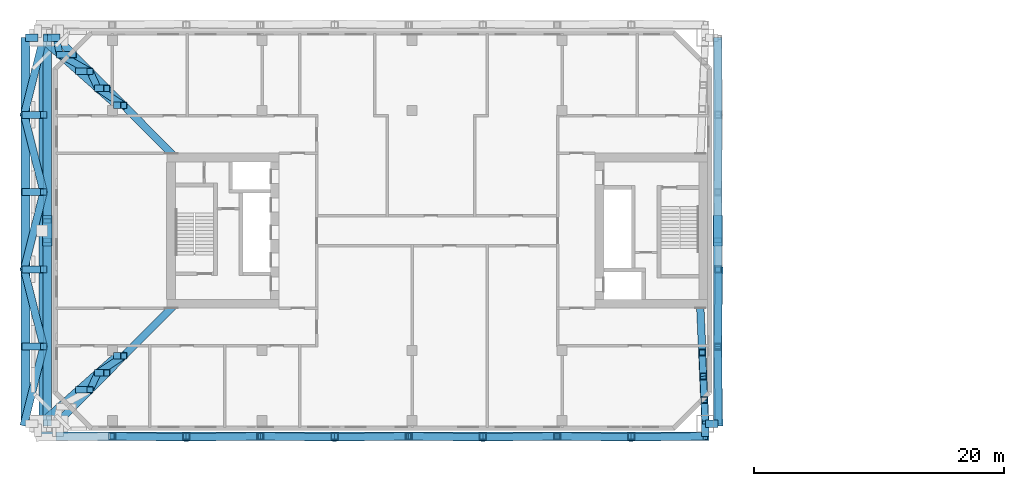
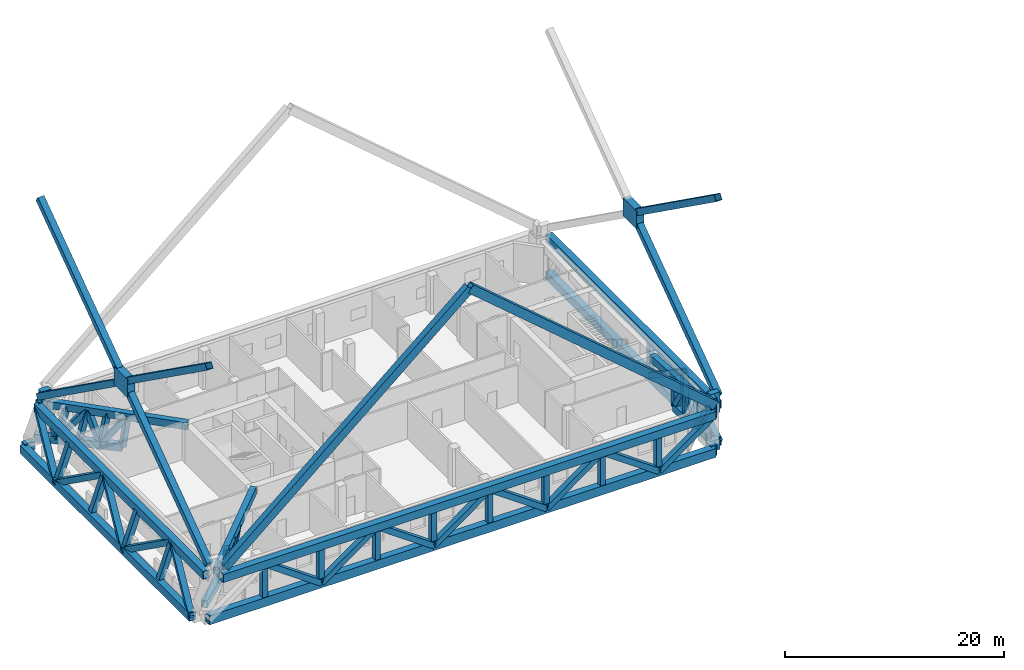
# One storey, part 2 of 20: 58 members, 21 beams.
"""IFC4 building model written with IfcOpenShell, lengths in metres."""

import ifcopenshell
import ifcopenshell.guid

model = None  # the IFC model being written
_history = None  # IfcOwnerHistory: only IFC2X3 demands one
_inside = {}  # id of a spatial element -> (the spatial element, [elements in it])
_under = {}  # id of a project, library or spatial element -> (it, [spatial elements below it])
_declared = {}  # id of a project -> (the project, [libraries it declares])
_typed = {}  # id of a type object -> (the type object, [elements of that type])
_made_of = {}  # id of a material, layer set ... -> (it, [elements and type objects made of it])


def new_model(schema):
    """Start an empty IFC model of exactly this schema.

    Asked for "IFC4X3", IfcOpenShell would pick the latest addendum, in which some entities
    have other attributes; the version numbers below select the first issue.
    IFC2X3 requires an IfcOwnerHistory on every rooted entity: one is made here for all.
    """
    global model, _history
    if schema == "IFC4X3":
        model = ifcopenshell.file(schema_version=(4, 3, 0, 0))
    else:
        model = ifcopenshell.file(schema=schema)
    _inside.clear()
    _under.clear()
    _declared.clear()
    _typed.clear()
    _made_of.clear()
    _history = None
    if model.schema == "IFC2X3":
        org = make("IfcOrganization", Name="unknown")
        user = make(
            "IfcPersonAndOrganization",
            ThePerson=make("IfcPerson", FamilyName="unknown"),
            TheOrganization=org,
        )
        app = make(
            "IfcApplication",
            ApplicationDeveloper=org,
            Version="unknown",
            ApplicationFullName="unknown",
            ApplicationIdentifier="unknown",
        )
        _history = make(
            "IfcOwnerHistory",
            OwningUser=user,
            OwningApplication=app,
            ChangeAction="ADDED",
            CreationDate=0,
        )
    return model


def make(cls, **values):
    """One entity of the class cls with the attributes given. An attribute that is None is left unset."""
    return model.create_entity(
        cls, **{name: value for name, value in values.items() if value is not None}
    )


def rooted(cls, **values):
    """An entity with a GlobalId (a new one), such as an element, a storey or a relation."""
    return make(cls, GlobalId=ifcopenshell.guid.new(), OwnerHistory=_history, **values)


def si_unit(unit_type, name, prefix=None):
    """IfcSIUnit, for example si_unit("LENGTHUNIT", "METRE", prefix="MILLI")."""
    return make("IfcSIUnit", UnitType=unit_type, Prefix=prefix, Name=name)


def assignment(units):
    """IfcUnitAssignment: the units of a project."""
    return None if units is None else make("IfcUnitAssignment", Units=units)


def point(xyz):
    """IfcCartesianPoint."""
    return None if xyz is None else make("IfcCartesianPoint", Coordinates=xyz)


def direction(xyz):
    """IfcDirection."""
    return None if xyz is None else make("IfcDirection", DirectionRatios=xyz)


def frame(location, z_axis=None, x_axis=None):
    """IfcAxis2Placement3D, a coordinate frame: its origin and axes. An axis left out is left unset."""
    return make(
        "IfcAxis2Placement3D",
        Location=point(location),
        Axis=direction(z_axis),
        RefDirection=direction(x_axis),
    )


def frame_2d(location, x_axis=None):
    """IfcAxis2Placement2D, a coordinate frame in the plane: its origin and x axis."""
    return make(
        "IfcAxis2Placement2D", Location=point(location), RefDirection=direction(x_axis)
    )


def origin():
    """The frame at (0, 0, 0) with its axes left unset."""
    return frame((0.0, 0.0, 0.0))


def origin_2d():
    """The frame at (0, 0) in the plane with its x axis left unset."""
    return frame_2d((0.0, 0.0))


def place(relative_to, where):
    """IfcLocalPlacement: puts the frame where relative to a parent placement (None: the world)."""
    return make(
        "IfcLocalPlacement", PlacementRelTo=relative_to, RelativePlacement=where
    )


def context(
    kind, dimensions, precision=None, world=None, true_north=None, identifier=None
):
    """IfcGeometricRepresentationContext, for example the 3D "Model" context."""
    return make(
        "IfcGeometricRepresentationContext",
        ContextIdentifier=identifier,
        ContextType=kind,
        CoordinateSpaceDimension=dimensions,
        Precision=precision,
        WorldCoordinateSystem=world,
        TrueNorth=true_north,
    )


def subcontext(parent, identifier, kind, view, scale=None):
    """IfcGeometricRepresentationSubContext, for example "Body" below "Model"."""
    return make(
        "IfcGeometricRepresentationSubContext",
        ContextIdentifier=identifier,
        ContextType=kind,
        ParentContext=parent,
        TargetScale=scale,
        TargetView=view,
    )


def project(units=None, contexts=None):
    """IfcProject with its units and contexts."""
    return rooted(
        "IfcProject",
        Name="project",
        RepresentationContexts=contexts,
        UnitsInContext=assignment(units),
    )


def spatial(cls, under=None, at=None, **own):
    """A site, building, storey or space (cls), placed at a placement, below another one or the project."""
    s = rooted(cls, ObjectPlacement=at, **own)
    if under is not None:
        _under.setdefault(under.id(), (under, []))[1].append(s)
    return s


def profile(cls, at=None, kind="AREA", **sizes):
    """A parametric profile (cls). Its sizes go by their IFC names, for example OverallWidth=200.0."""
    return make(cls, ProfileType=kind, Position=at, **sizes)


def rectangle(**sizes):
    """IfcRectangleProfileDef."""
    return profile("IfcRectangleProfileDef", **sizes)


def hollow_rectangle(**sizes):
    """IfcRectangleHollowProfileDef."""
    return profile("IfcRectangleHollowProfileDef", **sizes)


def extrude(swept, where, along, depth):
    """IfcExtrudedAreaSolid: the profile swept, set in the frame where, extruded along a direction by depth."""
    return make(
        "IfcExtrudedAreaSolid",
        SweptArea=swept,
        Position=where,
        ExtrudedDirection=direction(along),
        Depth=depth,
    )


def shape(context_of_items, identifier, shape_type, items):
    """IfcShapeRepresentation: the items that make up one representation, for example the "Body"."""
    return make(
        "IfcShapeRepresentation",
        ContextOfItems=context_of_items,
        RepresentationIdentifier=identifier,
        RepresentationType=shape_type,
        Items=items,
    )


def material(Name=None, Category=None):
    """IfcMaterial."""
    return make("IfcMaterial", Name=Name, Category=Category)


def material_profile(
    of_material, cross_section, Name=None, Category=None, Priority=None
):
    """IfcMaterialProfile: a cross section and its material."""
    return make(
        "IfcMaterialProfile",
        Name=Name,
        Material=of_material,
        Profile=cross_section,
        Priority=Priority,
        Category=Category,
    )


def profile_set(profiles, Name=None, composite=None):
    """IfcMaterialProfileSet."""
    return make(
        "IfcMaterialProfileSet",
        Name=Name,
        MaterialProfiles=profiles,
        CompositeProfile=composite,
    )


def made_of(thing, what):
    """Note that an element or type object is made of a material, layer set ...; save() writes the relation."""
    if what is not None:
        _made_of.setdefault(what.id(), (what, []))[1].append(thing)
    return thing


def type_object(cls, material=None, **own):
    """A type object (cls), such as IfcWallType, which elements share."""
    return made_of(rooted(cls, **own), material)


def element(
    cls,
    number,
    at=None,
    inside=None,
    cuts=None,
    type_object=None,
    material=None,
    context=None,
    identifier="Body",
    shape_type=None,
    held_by="IfcProductDefinitionShape",
    body=None,
    shapes=None,
    **own,
):
    """One element of the class cls, such as IfcWall. Its Tag is "e" and its number.

    at: its placement. inside: the storey or other place that contains it. cuts: it is an
    opening in that element (IfcRelVoidsElement). A single representation is given by context,
    identifier, shape_type and body (its items); several are given by shapes. held_by: the class
    of the entity that holds the representations. save() writes the other relations.
    """
    e = rooted(cls, Tag="e%d" % number, ObjectPlacement=at, **own)
    if body is not None:
        shapes = [shape(context, identifier, shape_type, body)]
    if shapes is not None:
        e.Representation = make(held_by, Representations=shapes)
    if inside is not None:
        _inside.setdefault(inside.id(), (inside, []))[1].append(e)
    if cuts is not None:
        rooted(
            "IfcRelVoidsElement", RelatingBuildingElement=cuts, RelatedOpeningElement=e
        )
    if type_object is not None:
        _typed.setdefault(type_object.id(), (type_object, []))[1].append(e)
    return made_of(e, material)


def aggregate(whole, parts):
    """IfcRelAggregates: a whole, such as a stair, and the parts it consists of."""
    return rooted("IfcRelAggregates", RelatingObject=whole, RelatedObjects=parts)


def save(model, path):
    """Write the relations noted so far, then the file.

    IfcRelAggregates (storeys below a building ...), IfcRelContainedInSpatialStructure (elements
    in a storey), IfcRelDefinesByType, IfcRelAssociatesMaterial and IfcRelDeclares: one each for
    every whole, place, type object, material and project.
    """
    for whole, parts in _under.values():
        aggregate(whole, parts)
    for where, things in _inside.values():
        rooted(
            "IfcRelContainedInSpatialStructure",
            RelatedElements=things,
            RelatingStructure=where,
        )
    for kind, things in _typed.values():
        rooted("IfcRelDefinesByType", RelatedObjects=things, RelatingType=kind)
    for what, things in _made_of.values():
        rooted("IfcRelAssociatesMaterial", RelatedObjects=things, RelatingMaterial=what)
    for by, libraries in _declared.values():
        rooted("IfcRelDeclares", RelatingContext=by, RelatedDefinitions=libraries)
    model.write(path)


model = new_model("IFC4")

# Units and contexts
model_context = context("Model", 3, precision=1e-05, world=origin(), true_north=direction((0.0, 1.0)))
body_context = subcontext(model_context, "Body", "Model", "MODEL_VIEW")
ifc_project = project(units=[si_unit("LENGTHUNIT", "METRE"), si_unit("AREAUNIT", "SQUARE_METRE"), si_unit("VOLUMEUNIT", "CUBIC_METRE"), si_unit("PLANEANGLEUNIT", "RADIAN"), si_unit("MASSUNIT", "GRAM", prefix="KILO")], contexts=[model_context])

# Site, building, storey
site_placement = place(None, origin())
site = spatial("IfcSite", under=ifc_project, at=site_placement, CompositionType="ELEMENT")
building_placement = place(site_placement, origin())
building = spatial("IfcBuilding", under=site, at=building_placement, Name="Tuart Gate Housing", CompositionType="ELEMENT")
storey_placement = place(building_placement, frame((0.0, 0.0, 62.89990234375)))
storey = spatial("IfcBuildingStorey", under=building, at=storey_placement, Name="L17", CompositionType="ELEMENT", Elevation=62.89990234375)

# Beams
ifc_material_1 = material(Name="Steel Grade 350", Category="steel")
ifc_material_profile_1 = material_profile(ifc_material_1, hollow_rectangle(XDim=0.699951171875, YDim=0.89990234375, WallThickness=0.0400390625, at=origin_2d()), Name="BOX 900x700x40")
ifc_profile_set_1 = profile_set([ifc_material_profile_1], Name="Steel Grade 350")
beam_type_1 = type_object("IfcBeamType", Name="Belt truss chord BOX 900x700x40", PredefinedType="BEAM", material=ifc_profile_set_1)
for number, where, z_axis, x_axis, name in (
    (1, (22.50830078125, 54.550048828125, 3.75), (0.0, 1.0, 0.0), (-1.0, 0.0, 0.0), "Belt truss top chord A west L17"),
    (2, (76.449951171875, 54.550048828125, 3.75), (0.0, 1.0, 0.0), (-1.0, 0.0, 0.0), "Belt truss top chord A east L17"),
):
    element("IfcBeam", number, at=place(storey_placement, frame(where, z_axis=z_axis, x_axis=x_axis)), inside=storey, type_object=beam_type_1, Name=name, PredefinedType="BEAM", context=body_context, shape_type="SweptSolid", body=[
        extrude(hollow_rectangle(XDim=0.699951171875, YDim=0.89990234375, WallThickness=0.0400390625, at=origin_2d()), origin(), (0.0, 0.0, 1.0), 30.89990234375),
    ])
ifc_material_2 = material(Name="Steel Grade 350", Category="steel")
ifc_material_profile_2 = material_profile(ifc_material_2, hollow_rectangle(XDim=0.699951171875, YDim=0.89990234375, WallThickness=0.0400390625, at=origin_2d()), Name="BOX 900x700x40")
ifc_profile_set_2 = profile_set([ifc_material_profile_2], Name="Steel Grade 350")
beam_type_2 = type_object("IfcBeamType", Name="Belt truss chord BOX 900x700x40 (40.9-51.9 m)", PredefinedType="BEAM", material=ifc_profile_set_2)
beam_1_placement = place(storey_placement, frame((23.50830078125, 53.550048828125, 3.75), z_axis=(1.0, 0.0, 0.0), x_axis=(0.0, 1.0, 0.0)))
element("IfcBeam", 3, at=beam_1_placement, inside=storey, type_object=beam_type_2, Name="Belt truss top chord A south L17", PredefinedType="BEAM", context=body_context, shape_type="SweptSolid", body=[
    extrude(hollow_rectangle(XDim=0.699951171875, YDim=0.89990234375, WallThickness=0.0400390625, at=origin_2d()), origin(), (0.0, 0.0, 1.0), 51.941650390625),
])

# Members
ifc_material_3 = material(Name="Steel Grade 350", Category="steel")
ifc_material_profile_3 = material_profile(ifc_material_3, hollow_rectangle(XDim=0.60009765625, YDim=0.60009765625, WallThickness=0.031982421875, at=origin_2d()), Name="BOX 600x600x32")
ifc_profile_set_3 = profile_set([ifc_material_profile_3], Name="Steel Grade 350")
member_type_1 = type_object("IfcMemberType", Name="Belt truss diagonal BOX 600x600x32", PredefinedType="BRACE", material=ifc_profile_set_3)
for number, where, z_axis, x_axis, name in (
    (4, (27.9833984375, 53.550048828125, 3.75), (0.819376919139, -0.013823171495, -0.573088461158), (0.016867945015, 0.999857726095, 0.0), "Belt truss diagonal A south 1 L17"),
    (5, (33.916748046875, 53.449951171875, -0.39990234375), (0.819376919139, 0.013823171495, 0.573088461158), (-0.016867945015, 0.999857726095, 0.0), "Belt truss diagonal A south 2 L17"),
    (6, (39.85009765625, 53.550048828125, 3.75), (0.81936583919, -0.013823553373, -0.573104293249), (0.016868638914, 0.999857714388, 0.0), "Belt truss diagonal A south 3 L17"),
):
    element("IfcMember", number, at=place(storey_placement, frame(where, z_axis=z_axis, x_axis=x_axis)), inside=storey, type_object=member_type_1, Name=name, PredefinedType="BRACE", context=body_context, shape_type="SweptSolid", body=[
        extrude(hollow_rectangle(XDim=0.60009765625, YDim=0.60009765625, WallThickness=0.031982421875, at=origin_2d()), origin(), (0.0, 0.0, 1.0), 7.2412109375),
    ])
member_1_placement = place(storey_placement, frame((45.783203125, 53.449951171875, -0.39990234375), z_axis=(0.81938799817, 0.013822789633, 0.573072629727), x_axis=(-0.016867251173, 0.9998577378, 0.0)))
element("IfcMember", 7, at=member_1_placement, inside=storey, type_object=member_type_1, Name="Belt truss diagonal A south 4 L17", PredefinedType="BRACE", context=body_context, shape_type="SweptSolid", body=[
    extrude(hollow_rectangle(XDim=0.60009765625, YDim=0.60009765625, WallThickness=0.031982421875, at=origin_2d()), origin(), (0.0, 0.0, 1.0), 7.241455078125),
])
for number, where, z_axis, x_axis, name in (
    (8, (51.716796875, 53.550048828125, 3.75), (0.81936583919, -0.013823553373, -0.573104293249), (0.016868638914, 0.999857714388, 0.0), "Belt truss diagonal A south 5 L17"),
    (9, (57.64990234375, 53.449951171875, -0.39990234375), (0.819376919139, 0.013823171495, 0.573088461158), (-0.016867945015, 0.999857726095, 0.0), "Belt truss diagonal A south 6 L17"),
    (10, (63.583251953125, 53.550048828125, 3.75), (0.819376919139, -0.013823171495, -0.573088461158), (0.016867945015, 0.999857726095, 0.0), "Belt truss diagonal A south 7 L17"),
    (11, (69.5166015625, 53.449951171875, -0.39990234375), (0.819376919139, 0.013823171495, 0.573088461158), (-0.016867945015, 0.999857726095, 0.0), "Belt truss diagonal A south 8 L17"),
):
    element("IfcMember", number, at=place(storey_placement, frame(where, z_axis=z_axis, x_axis=x_axis)), inside=storey, type_object=member_type_1, Name=name, PredefinedType="BRACE", context=body_context, shape_type="SweptSolid", body=[
        extrude(hollow_rectangle(XDim=0.60009765625, YDim=0.60009765625, WallThickness=0.031982421875, at=origin_2d()), origin(), (0.0, 0.0, 1.0), 7.2412109375),
    ])
for number, where, z_axis, x_axis, name in (
    (12, (20.949951171875, 54.550048828125, -0.39990234375), (0.20490114226, 0.812574434283, 0.545654021015), (-0.969647016949, 0.244509023395, 0.0), "Belt truss diagonal A west 0 L17"),
    (13, (22.50830078125, 60.72998046875, 3.75), (-0.20490114226, 0.812574434283, -0.545654021015), (-0.969647016949, -0.244509023395, 0.0), "Belt truss diagonal A west 1 L17"),
    (14, (20.949951171875, 66.909912109375, -0.39990234375), (0.204895797618, 0.812585339322, 0.545639788173), (-0.96964930695, 0.244499941782, 0.0), "Belt truss diagonal A west 2 L17"),
    (15, (22.50830078125, 73.090087890625, 3.75), (-0.20490114226, 0.812574434283, -0.545654021015), (-0.969647016949, -0.244509023395, 0.0), "Belt truss diagonal A west 3 L17"),
    (16, (20.949951171875, 79.27001953125, -0.39990234375), (0.20490114226, 0.812574434283, 0.545654021015), (-0.969647016949, 0.244509023395, 0.0), "Belt truss diagonal A west 4 L17"),
):
    element("IfcMember", number, at=place(storey_placement, frame(where, z_axis=z_axis, x_axis=x_axis)), inside=storey, type_object=member_type_1, Name=name, PredefinedType="BRACE", context=body_context, shape_type="SweptSolid", body=[
        extrude(hollow_rectangle(XDim=0.60009765625, YDim=0.60009765625, WallThickness=0.031982421875, at=origin_2d()), origin(), (0.0, 0.0, 1.0), 7.60546875),
    ])
for number, where, z_axis, x_axis, name in (
    (17, (76.550048828125, 54.550048828125, -0.39990234375), (-0.013445527925, 0.830113776504, 0.55743191139), (-0.999868850984, -0.016195086671, 0.0), "Belt truss diagonal A east 0 L17"),
    (18, (76.449951171875, 60.72998046875, 3.75), (0.013445527925, 0.830113776504, -0.55743191139), (-0.999868850984, 0.016195086671, 0.0), "Belt truss diagonal A east 1 L17"),
):
    element("IfcMember", number, at=place(storey_placement, frame(where, z_axis=z_axis, x_axis=x_axis)), inside=storey, type_object=member_type_1, Name=name, PredefinedType="BRACE", context=body_context, shape_type="SweptSolid", body=[
        extrude(hollow_rectangle(XDim=0.60009765625, YDim=0.60009765625, WallThickness=0.031982421875, at=origin_2d()), origin(), (0.0, 0.0, 1.0), 7.444580078125),
    ])
ifc_material_4 = material(Name="Steel Grade 350", Category="steel")
ifc_material_profile_4 = material_profile(ifc_material_4, hollow_rectangle(XDim=0.56005859375, YDim=0.56005859375, WallThickness=0.030029296875, at=origin_2d()), Name="BOX 560x560x30")
ifc_profile_set_4 = profile_set([ifc_material_profile_4], Name="Steel Grade 350")
member_type_2 = type_object("IfcMemberType", Name="Belt truss post BOX 560x560x30", PredefinedType="POST", material=ifc_profile_set_4)
for number, where, z_axis, x_axis, name in (
    (19, (27.9833984375, 53.550048828125, -0.39990234375), (0.0, 0.0, 1.0), (1.0, 0.0, 0.0), "Belt truss post A south 1 L17"),
    (20, (33.916748046875, 53.550048828125, -0.39990234375), (0.0, 0.0, 1.0), (1.0, 0.0, 0.0), "Belt truss post A south 2 L17"),
    (21, (39.85009765625, 53.550048828125, -0.39990234375), (0.0, 0.0, 1.0), (1.0, 0.0, 0.0), "Belt truss post A south 3 L17"),
    (22, (45.783203125, 53.550048828125, -0.39990234375), (0.0, 0.0, 1.0), (1.0, 0.0, 0.0), "Belt truss post A south 4 L17"),
    (23, (51.716796875, 53.550048828125, -0.39990234375), (0.0, 0.0, 1.0), (1.0, 0.0, 0.0), "Belt truss post A south 5 L17"),
    (24, (57.64990234375, 53.550048828125, -0.39990234375), (0.0, 0.0, 1.0), (1.0, 0.0, 0.0), "Belt truss post A south 6 L17"),
    (25, (63.583251953125, 53.550048828125, -0.39990234375), (0.0, 0.0, 1.0), (1.0, 0.0, 0.0), "Belt truss post A south 7 L17"),
    (26, (69.5166015625, 53.550048828125, -0.39990234375), (0.0, 0.0, 1.0), (1.0, 0.0, 0.0), "Belt truss post A south 8 L17"),
):
    element("IfcMember", number, at=place(storey_placement, frame(where, z_axis=z_axis, x_axis=x_axis)), inside=storey, type_object=member_type_2, Name=name, PredefinedType="POST", context=body_context, shape_type="SweptSolid", body=[
        extrude(hollow_rectangle(XDim=0.56005859375, YDim=0.56005859375, WallThickness=0.030029296875, at=origin_2d()), origin(), (0.0, 0.0, 1.0), 4.14990234375),
    ])
for number, where, z_axis, x_axis, name in (
    (27, (21.050048828125, 60.72998046875, -0.39990234375), (0.331522046745, 0.0, 0.943447472052), (0.0, 1.0, 0.0), "Belt truss post A west 1 L17"),
    (28, (21.050048828125, 66.909912109375, -0.39990234375), (0.331522046745, 0.0, 0.943447472052), (0.0, 1.0, 0.0), "Belt truss post A west 2 L17"),
    (29, (21.050048828125, 73.090087890625, -0.39990234375), (0.331522046745, 0.0, 0.943447472052), (0.0, 1.0, 0.0), "Belt truss post A west 3 L17"),
    (30, (21.050048828125, 79.27001953125, -0.39990234375), (0.331522046745, 0.0, 0.943447472052), (0.0, 1.0, 0.0), "Belt truss post A west 4 L17"),
):
    element("IfcMember", number, at=place(storey_placement, frame(where, z_axis=z_axis, x_axis=x_axis)), inside=storey, type_object=member_type_2, Name=name, PredefinedType="POST", context=body_context, shape_type="SweptSolid", body=[
        extrude(hollow_rectangle(XDim=0.56005859375, YDim=0.56005859375, WallThickness=0.030029296875, at=origin_2d()), origin(), (0.0, 0.0, 1.0), 4.398681640625),
    ])
for number, where, z_axis, x_axis, name in (
    (31, (76.449951171875, 60.72998046875, -0.39990234375), (0.0, 0.0, 1.0), (1.0, 0.0, 0.0), "Belt truss post A east 1 L17"),
    (32, (76.449951171875, 66.909912109375, -0.39990234375), (0.0, 0.0, 1.0), (1.0, 0.0, 0.0), "Belt truss post A east 2 L17"),
):
    element("IfcMember", number, at=place(storey_placement, frame(where, z_axis=z_axis, x_axis=x_axis)), inside=storey, type_object=member_type_2, Name=name, PredefinedType="POST", context=body_context, shape_type="SweptSolid", body=[
        extrude(hollow_rectangle(XDim=0.56005859375, YDim=0.56005859375, WallThickness=0.030029296875, at=origin_2d()), origin(), (0.0, 0.0, 1.0), 4.14990234375),
    ])
ifc_material_5 = material(Name="Steel Grade 350", Category="steel")
ifc_material_profile_5 = material_profile(ifc_material_5, rectangle(XDim=2.446044921875, YDim=2.0048828125, at=origin_2d()), Name="Brace node plate 2446 x 2005")
ifc_profile_set_5 = profile_set([ifc_material_profile_5], Name="Steel Grade 350")
member_type_3 = type_object("IfcMemberType", Name="Brace node plate 2446 x 2005", PredefinedType="PLATE", material=ifc_profile_set_5)
for number, where, z_axis, x_axis, name in (
    (33, (22.42041015625, 70.0, 15.860107421875), (1.0, 0.0, 0.0), (0.0, 1.0, 0.0), "Brace node A zone 3 west"),
    (34, (76.070556640625, 70.0, 15.860107421875), (1.0, 0.0, 0.0), (0.0, 1.0, 0.0), "Brace node A zone 3 east"),
):
    element("IfcMember", number, at=place(storey_placement, frame(where, z_axis=z_axis, x_axis=x_axis)), inside=storey, type_object=member_type_3, Name=name, PredefinedType="PLATE", context=body_context, shape_type="SweptSolid", body=[
        extrude(rectangle(XDim=2.446044921875, YDim=2.0048828125, at=origin_2d()), origin(), (0.0, 0.0, 1.0), 0.759033203125),
    ])

# Beams
ifc_material_6 = material(Name="Steel Grade 350", Category="steel")
ifc_material_profile_6 = material_profile(ifc_material_6, hollow_rectangle(XDim=0.60009765625, YDim=1.199951171875, WallThickness=0.0400390625, at=origin_2d()), Name="BOX 1200x600x40")
ifc_profile_set_6 = profile_set([ifc_material_profile_6], Name="Steel Grade 350")
beam_type_3 = type_object("IfcBeamType", Name="Brace shoe BOX 1200x600x40", PredefinedType="BEAM", material=ifc_profile_set_6)
for number, where, z_axis, x_axis, name in (
    (35, (75.449951171875, 54.550048828125, -0.39990234375), (0.0, -1.0, 0.0), (1.0, 0.0, 0.0), "Mega tie beam A node 2 south shoe 1 L17"),
    (36, (22.050048828125, 85.449951171875, -0.39990234375), (-1.0, 0.0, 0.0), (0.0, -1.0, 0.0), "Mega tie beam A node 2 west shoe 1 L17"),
    (37, (75.449951171875, 54.550048828125, -0.39990234375), (1.0, 0.0, 0.0), (0.0, 1.0, 0.0), "Mega tie beam A node 2 east shoe 0 L17"),
    (38, (75.449951171875, 54.550048828125, 4.820068359375), (0.0, -1.0, 0.0), (1.0, 0.0, 0.0), "Mega brace shoe A zone 3 south chevron 2"),
    (39, (23.800048828125, 85.449951171875, 4.820068359375), (-1.0, 0.0, 0.0), (0.0, -1.0, 0.0), "Mega brace shoe A zone 3 west cross 2"),
    (40, (75.449951171875, 54.550048828125, 4.820068359375), (1.0, 0.0, 0.0), (0.0, 1.0, 0.0), "Mega brace shoe A zone 3 east cross 1"),
    (41, (75.449951171875, 54.550048828125, 3.75), (0.0, -1.0, 0.0), (1.0, 0.0, 0.0), "Belt truss top chord A south shoe 1 L17"),
    (42, (23.50830078125, 85.449951171875, 3.75), (-1.0, 0.0, 0.0), (0.0, -1.0, 0.0), "Belt truss top chord A west shoe 1 L17"),
    (43, (75.449951171875, 54.550048828125, 3.75), (1.0, 0.0, 0.0), (0.0, 1.0, 0.0), "Belt truss top chord A east shoe 0 L17"),
):
    element("IfcBeam", number, at=place(storey_placement, frame(where, z_axis=z_axis, x_axis=x_axis)), inside=storey, type_object=beam_type_3, Name=name, PredefinedType="BEAM", context=body_context, shape_type="SweptSolid", body=[
        extrude(hollow_rectangle(XDim=0.60009765625, YDim=1.199951171875, WallThickness=0.0400390625, at=origin_2d()), origin(), (0.0, 0.0, 1.0), 1.0),
    ])

# Members
ifc_material_7 = material(Name="Steel Grade 350", Category="steel")
ifc_material_profile_7 = material_profile(ifc_material_7, hollow_rectangle(XDim=0.659912109375, YDim=0.659912109375, WallThickness=0.032958984375, at=origin_2d()), Name="BOX 660x660x33")
ifc_profile_set_7 = profile_set([ifc_material_profile_7], Name="Steel Grade 350")
member_type_4 = type_object("IfcMemberType", Name="Mega brace BOX 660x660x33", PredefinedType="BRACE", material=ifc_profile_set_7)
for number, where, z_axis, x_axis, name in (
    (44, (22.800048828125, 54.550048828125, 4.820068359375), (0.0, 0.813622806958, 0.581393092492), (-1.0, 0.0, 0.0), "Mega brace A zone 3 west cross 1 a"),
    (45, (22.800048828125, 70.77294921875, 16.412353515625), (0.0, 0.813622806958, 0.581393092492), (-1.0, 0.0, 0.0), "Mega brace A zone 3 west cross 1 b"),
    (46, (22.800048828125, 85.449951171875, 4.820068359375), (0.0, -0.813622806958, 0.581393092492), (1.0, 0.0, 0.0), "Mega brace A zone 3 west cross 2 a"),
    (47, (22.800048828125, 69.22705078125, 16.412353515625), (0.0, -0.813622806958, 0.581393092492), (1.0, 0.0, 0.0), "Mega brace A zone 3 west cross 2 b"),
    (48, (76.449951171875, 54.550048828125, 4.820068359375), (0.0, 0.813622806958, 0.581393092492), (-1.0, 0.0, 0.0), "Mega brace A zone 3 east cross 1 a"),
    (49, (76.449951171875, 69.22705078125, 16.412353515625), (0.0, -0.813622806958, 0.581393092492), (1.0, 0.0, 0.0), "Mega brace A zone 3 east cross 2 b"),
):
    element("IfcMember", number, at=place(storey_placement, frame(where, z_axis=z_axis, x_axis=x_axis)), inside=storey, type_object=member_type_4, Name=name, PredefinedType="BRACE", context=body_context, shape_type="SweptSolid", body=[
        extrude(hollow_rectangle(XDim=0.659912109375, YDim=0.659912109375, WallThickness=0.032958984375, at=origin_2d()), origin(), (0.0, 0.0, 1.0), 18.0390625),
    ])
ifc_material_8 = material(Name="Steel Grade 350", Category="steel")
ifc_material_profile_8 = material_profile(ifc_material_8, hollow_rectangle(XDim=0.659912109375, YDim=0.89990234375, WallThickness=0.044921875, at=origin_2d()), Name="BOX 900x660x45")
ifc_profile_set_8 = profile_set([ifc_material_profile_8], Name="Steel Grade 350")
member_type_5 = type_object("IfcMemberType", Name="Mega brace BOX 900x660x45", PredefinedType="BRACE", material=ifc_profile_set_8)
for number, where, z_axis, x_axis, name in (
    (50, (23.800048828125, 53.550048828125, 4.820068359375), (0.760064500852, 0.0, 0.649847639485), (0.0, 1.0, 0.0), "Mega brace A zone 3 south chevron 1"),
    (51, (75.449951171875, 53.550048828125, 4.820068359375), (-0.760064500852, 0.0, 0.649847639485), (0.0, -1.0, 0.0), "Mega brace A zone 3 south chevron 2"),
):
    element("IfcMember", number, at=place(storey_placement, frame(where, z_axis=z_axis, x_axis=x_axis)), inside=storey, type_object=member_type_5, Name=name, PredefinedType="BRACE", context=body_context, shape_type="SweptSolid", body=[
        extrude(hollow_rectangle(XDim=0.659912109375, YDim=0.89990234375, WallThickness=0.044921875, at=origin_2d()), origin(), (0.0, 0.0, 1.0), 33.977294921875),
    ])

# Beams
ifc_material_9 = material(Name="Steel Grade 350", Category="steel")
ifc_material_profile_9 = material_profile(ifc_material_9, hollow_rectangle(XDim=0.60009765625, YDim=0.800048828125, WallThickness=0.0400390625, at=origin_2d()), Name="BOX 800x600x40")
ifc_profile_set_9 = profile_set([ifc_material_profile_9], Name="Steel Grade 350")
beam_type_4 = type_object("IfcBeamType", Name="Outrigger chord BOX 800x600x40", PredefinedType="BEAM", material=ifc_profile_set_9)
beam_2_placement = place(storey_placement, frame((75.2041015625, 60.25, 0.550048828125), z_axis=(0.043091815399, -0.99907111631, 0.0), x_axis=(0.99907111631, 0.043091815399, 0.0)))
element("IfcBeam", 52, at=beam_2_placement, inside=storey, type_object=beam_type_4, Name="Outrigger bottom chord AG south 0 L17", PredefinedType="BEAM", context=body_context, shape_type="SweptSolid", body=[
    extrude(hollow_rectangle(XDim=0.60009765625, YDim=0.800048828125, WallThickness=0.0400390625, at=origin_2d()), origin(), (0.0, 0.0, 1.0), 5.705322265625),
])
ifc_material_10 = material(Name="Steel Grade 350", Category="steel")
ifc_material_profile_10 = material_profile(ifc_material_10, hollow_rectangle(XDim=0.60009765625, YDim=0.800048828125, WallThickness=0.0400390625, at=origin_2d()), Name="BOX 800x600x40")
ifc_profile_set_10 = profile_set([ifc_material_profile_10], Name="Steel Grade 350")
beam_type_5 = type_object("IfcBeamType", Name="Outrigger chord BOX 800x600x40 (11.2-13.4 m)", PredefinedType="BEAM", material=ifc_profile_set_10)
for number, where, z_axis, x_axis, name in (
    (53, (32.9599609375, 64.050048828125, 3.800048828125), (-0.704567297816, -0.709637176907, 0.0), (0.709637176907, -0.704567297816, 0.0), "Outrigger top chord AK south L17"),
    (54, (32.9599609375, 75.949951171875, 3.800048828125), (-0.704567297816, 0.709637176907, 0.0), (-0.709637176907, -0.704567297816, 0.0), "Outrigger top chord AK north L17"),
):
    element("IfcBeam", number, at=place(storey_placement, frame(where, z_axis=z_axis, x_axis=x_axis)), inside=storey, type_object=beam_type_5, Name=name, PredefinedType="BEAM", context=body_context, shape_type="SweptSolid", body=[
        extrude(hollow_rectangle(XDim=0.60009765625, YDim=0.800048828125, WallThickness=0.0400390625, at=origin_2d()), origin(), (0.0, 0.0, 1.0), 13.38720703125),
    ])
ifc_material_11 = material(Name="Steel Grade 350", Category="steel")
ifc_material_profile_11 = material_profile(ifc_material_11, hollow_rectangle(XDim=0.60009765625, YDim=0.800048828125, WallThickness=0.0400390625, at=origin_2d()), Name="BOX 800x600x40")
ifc_profile_set_11 = profile_set([ifc_material_profile_11], Name="Steel Grade 350")
beam_type_6 = type_object("IfcBeamType", Name="Outrigger chord BOX 800x600x40 (8.2-10.5 m)", PredefinedType="BEAM", material=ifc_profile_set_11)
for number, where, z_axis, x_axis, name in (
    (55, (28.3759765625, 59.978515625, 0.550048828125), (-0.747681134531, -0.664057919964, 0.0), (0.664057919964, -0.747681134531, 0.0), "Outrigger bottom chord AK south 0 L17"),
    (56, (28.3759765625, 80.021484375, 0.550048828125), (-0.747681134531, 0.664057919964, 0.0), (-0.664057919964, -0.747681134531, 0.0), "Outrigger bottom chord AK north 0 L17"),
):
    element("IfcBeam", number, at=place(storey_placement, frame(where, z_axis=z_axis, x_axis=x_axis)), inside=storey, type_object=beam_type_6, Name=name, PredefinedType="BEAM", context=body_context, shape_type="SweptSolid", body=[
        extrude(hollow_rectangle(XDim=0.60009765625, YDim=0.800048828125, WallThickness=0.0400390625, at=origin_2d()), origin(), (0.0, 0.0, 1.0), 8.1748046875),
    ])
beam_3_placement = place(storey_placement, frame((75.0400390625, 64.050048828125, 3.800048828125), z_axis=(0.043108531904, -0.999070395156, 0.0), x_axis=(0.999070395156, 0.043108531904, 0.0)))
element("IfcBeam", 57, at=beam_3_placement, inside=storey, type_object=beam_type_6, Name="Outrigger top chord AG south L17", PredefinedType="BEAM", context=body_context, shape_type="SweptSolid", body=[
    extrude(hollow_rectangle(XDim=0.60009765625, YDim=0.800048828125, WallThickness=0.0400390625, at=origin_2d()), origin(), (0.0, 0.0, 1.0), 9.5087890625),
])

# Members
ifc_material_12 = material(Name="Steel Grade 350", Category="steel")
ifc_material_profile_12 = material_profile(ifc_material_12, hollow_rectangle(XDim=0.5400390625, YDim=0.5400390625, WallThickness=0.030029296875, at=origin_2d()), Name="BOX 540x540x30")
ifc_profile_set_12 = profile_set([ifc_material_profile_12], Name="Steel Grade 350")
member_type_6 = type_object("IfcMemberType", Name="Outrigger diagonal BOX 540x540x30", PredefinedType="BRACE", material=ifc_profile_set_12)
member_2_placement = place(storey_placement, frame((28.91748046875, 59.978515625, 3.800048828125), z_axis=(-0.506623562334, -0.33223078719, -0.795584860421), x_axis=(0.548378448945, -0.836230277335, 0.0)))
element("IfcMember", 58, at=member_2_placement, inside=storey, type_object=member_type_6, Name="Outrigger diagonal AK south 3 L17", PredefinedType="BRACE", context=body_context, shape_type="SweptSolid", body=[
    extrude(hollow_rectangle(XDim=0.5400390625, YDim=0.5400390625, WallThickness=0.030029296875, at=origin_2d()), origin(), (0.0, 0.0, 1.0), 4.0849609375),
])
member_3_placement = place(storey_placement, frame((26.847900390625, 58.621337890625, 0.550048828125), z_axis=(-0.1747972491, -0.379353030261, 0.908590777049), x_axis=(0.908222252818, -0.418488159314, 0.0)))
element("IfcMember", 59, at=member_3_placement, inside=storey, type_object=member_type_6, Name="Outrigger diagonal AK south 4 L17", PredefinedType="BRACE", context=body_context, shape_type="SweptSolid", body=[
    extrude(hollow_rectangle(XDim=0.5400390625, YDim=0.5400390625, WallThickness=0.030029296875, at=origin_2d()), origin(), (0.0, 0.0, 1.0), 3.576904296875),
])
member_4_placement = place(storey_placement, frame((28.91748046875, 80.021484375, 3.800048828125), z_axis=(-0.506623562334, 0.33223078719, -0.795584860421), x_axis=(-0.548378448945, -0.836230277335, 0.0)))
element("IfcMember", 60, at=member_4_placement, inside=storey, type_object=member_type_6, Name="Outrigger diagonal AK north 3 L17", PredefinedType="BRACE", context=body_context, shape_type="SweptSolid", body=[
    extrude(hollow_rectangle(XDim=0.5400390625, YDim=0.5400390625, WallThickness=0.030029296875, at=origin_2d()), origin(), (0.0, 0.0, 1.0), 4.0849609375),
])
member_5_placement = place(storey_placement, frame((26.847900390625, 81.378662109375, 0.550048828125), z_axis=(-0.1747972491, 0.379353030261, 0.908590777049), x_axis=(-0.908222252818, -0.418488159314, 0.0)))
element("IfcMember", 61, at=member_5_placement, inside=storey, type_object=member_type_6, Name="Outrigger diagonal AK north 4 L17", PredefinedType="BRACE", context=body_context, shape_type="SweptSolid", body=[
    extrude(hollow_rectangle(XDim=0.5400390625, YDim=0.5400390625, WallThickness=0.030029296875, at=origin_2d()), origin(), (0.0, 0.0, 1.0), 3.576904296875),
])
member_6_placement = place(storey_placement, frame((26.22265625, 82.735595703125, 3.800048828125), z_axis=(-0.567992447121, 0.317199478304, -0.759453139421), x_axis=(-0.487577622679, -0.873079642337, 0.0)))
element("IfcMember", 62, at=member_6_placement, inside=storey, type_object=member_type_6, Name="Outrigger diagonal AK north 5 L17", PredefinedType="BRACE", context=body_context, shape_type="SweptSolid", body=[
    extrude(hollow_rectangle(XDim=0.5400390625, YDim=0.5400390625, WallThickness=0.030029296875, at=origin_2d()), origin(), (0.0, 0.0, 1.0), 4.279296875),
])
member_7_placement = place(storey_placement, frame((23.7919921875, 84.093017578125, 0.550048828125), z_axis=(-0.074794951985, 0.38420549273, 0.920212939766), x_axis=(-0.981573085322, -0.191087095775, 0.0)))
element("IfcMember", 63, at=member_7_placement, inside=storey, type_object=member_type_6, Name="Outrigger diagonal AK north 6 L17", PredefinedType="BRACE", context=body_context, shape_type="SweptSolid", body=[
    extrude(hollow_rectangle(XDim=0.5400390625, YDim=0.5400390625, WallThickness=0.030029296875, at=origin_2d()), origin(), (0.0, 0.0, 1.0), 3.53173828125),
])
member_8_placement = place(storey_placement, frame((75.2041015625, 60.25, 0.550048828125), z_axis=(0.021720251236, -0.504558194384, 0.863104431205), x_axis=(0.999074718087, 0.043008228034, 0.0)))
element("IfcMember", 64, at=member_8_placement, inside=storey, type_object=member_type_6, Name="Outrigger diagonal AG south 2 L17", PredefinedType="BRACE", context=body_context, shape_type="SweptSolid", body=[
    extrude(hollow_rectangle(XDim=0.5400390625, YDim=0.5400390625, WallThickness=0.030029296875, at=origin_2d()), origin(), (0.0, 0.0, 1.0), 3.765380859375),
])
member_9_placement = place(storey_placement, frame((75.285888671875, 58.35009765625, 3.800048828125), z_axis=(0.021784344401, -0.504605810923, -0.863074978158), x_axis=(0.999069432334, 0.043130840198, 0.0)))
element("IfcMember", 65, at=member_9_placement, inside=storey, type_object=member_type_6, Name="Outrigger diagonal AG south 3 L17", PredefinedType="BRACE", context=body_context, shape_type="SweptSolid", body=[
    extrude(hollow_rectangle(XDim=0.5400390625, YDim=0.5400390625, WallThickness=0.030029296875, at=origin_2d()), origin(), (0.0, 0.0, 1.0), 3.765625),
])
member_10_placement = place(storey_placement, frame((75.367919921875, 56.449951171875, 0.550048828125), z_axis=(0.021785057082, -0.504557482773, 0.863103213913), x_axis=(0.999069193493, 0.043136372271, 0.0)))
element("IfcMember", 66, at=member_10_placement, inside=storey, type_object=member_type_6, Name="Outrigger diagonal AG south 4 L17", PredefinedType="BRACE", context=body_context, shape_type="SweptSolid", body=[
    extrude(hollow_rectangle(XDim=0.5400390625, YDim=0.5400390625, WallThickness=0.030029296875, at=origin_2d()), origin(), (0.0, 0.0, 1.0), 3.765380859375),
])
ifc_material_13 = material(Name="Steel Grade 350", Category="steel")
ifc_material_profile_13 = material_profile(ifc_material_13, hollow_rectangle(XDim=0.52001953125, YDim=0.52001953125, WallThickness=0.028076171875, at=origin_2d()), Name="BOX 520x520x28")
ifc_profile_set_13 = profile_set([ifc_material_profile_13], Name="Steel Grade 350")
member_type_7 = type_object("IfcMemberType", Name="Outrigger post BOX 520x520x28", PredefinedType="POST", material=ifc_profile_set_13)
member_11_placement = place(storey_placement, frame((28.3759765625, 59.978515625, 0.550048828125), z_axis=(0.164350923087, 0.0, 0.986401933332), x_axis=(0.0, 1.0, 0.0)))
element("IfcMember", 67, at=member_11_placement, inside=storey, type_object=member_type_7, Name="Outrigger post AK south 3 L17", PredefinedType="POST", context=body_context, shape_type="SweptSolid", body=[
    extrude(hollow_rectangle(XDim=0.52001953125, YDim=0.52001953125, WallThickness=0.028076171875, at=origin_2d()), origin(), (0.0, 0.0, 1.0), 3.294921875),
])
member_12_placement = place(storey_placement, frame((26.847900390625, 58.621337890625, 0.550048828125), z_axis=(0.216984808288, 0.0, 0.976174980714), x_axis=(0.0, 1.0, 0.0)))
element("IfcMember", 68, at=member_12_placement, inside=storey, type_object=member_type_7, Name="Outrigger post AK south 4 L17", PredefinedType="POST", context=body_context, shape_type="SweptSolid", body=[
    extrude(hollow_rectangle(XDim=0.52001953125, YDim=0.52001953125, WallThickness=0.028076171875, at=origin_2d()), origin(), (0.0, 0.0, 1.0), 3.329345703125),
])
member_13_placement = place(storey_placement, frame((25.31982421875, 57.264404296875, 0.550048828125), z_axis=(0.267658795881, 0.0, 0.963513761701), x_axis=(0.0, 1.0, 0.0)))
element("IfcMember", 69, at=member_13_placement, inside=storey, type_object=member_type_7, Name="Outrigger post AK south 5 L17", PredefinedType="POST", context=body_context, shape_type="SweptSolid", body=[
    extrude(hollow_rectangle(XDim=0.52001953125, YDim=0.52001953125, WallThickness=0.028076171875, at=origin_2d()), origin(), (0.0, 0.0, 1.0), 3.373046875),
])
member_14_placement = place(storey_placement, frame((28.3759765625, 80.021484375, 0.550048828125), z_axis=(0.164350923087, 0.0, 0.986401933332), x_axis=(0.0, 1.0, 0.0)))
element("IfcMember", 70, at=member_14_placement, inside=storey, type_object=member_type_7, Name="Outrigger post AK north 3 L17", PredefinedType="POST", context=body_context, shape_type="SweptSolid", body=[
    extrude(hollow_rectangle(XDim=0.52001953125, YDim=0.52001953125, WallThickness=0.028076171875, at=origin_2d()), origin(), (0.0, 0.0, 1.0), 3.294921875),
])
member_15_placement = place(storey_placement, frame((26.847900390625, 81.378662109375, 0.550048828125), z_axis=(0.216984808288, 0.0, 0.976174980714), x_axis=(0.0, 1.0, 0.0)))
element("IfcMember", 71, at=member_15_placement, inside=storey, type_object=member_type_7, Name="Outrigger post AK north 4 L17", PredefinedType="POST", context=body_context, shape_type="SweptSolid", body=[
    extrude(hollow_rectangle(XDim=0.52001953125, YDim=0.52001953125, WallThickness=0.028076171875, at=origin_2d()), origin(), (0.0, 0.0, 1.0), 3.329345703125),
])
member_16_placement = place(storey_placement, frame((25.31982421875, 82.735595703125, 0.550048828125), z_axis=(0.267658795881, 0.0, 0.963513761701), x_axis=(0.0, 1.0, 0.0)))
element("IfcMember", 72, at=member_16_placement, inside=storey, type_object=member_type_7, Name="Outrigger post AK north 5 L17", PredefinedType="POST", context=body_context, shape_type="SweptSolid", body=[
    extrude(hollow_rectangle(XDim=0.52001953125, YDim=0.52001953125, WallThickness=0.028076171875, at=origin_2d()), origin(), (0.0, 0.0, 1.0), 3.373046875),
])
member_17_placement = place(storey_placement, frame((23.7919921875, 84.093017578125, 0.550048828125), z_axis=(0.316206386194, 0.0, 0.94869042439), x_axis=(0.0, 1.0, 0.0)))
element("IfcMember", 73, at=member_17_placement, inside=storey, type_object=member_type_7, Name="Outrigger post AK north 6 L17", PredefinedType="POST", context=body_context, shape_type="SweptSolid", body=[
    extrude(hollow_rectangle(XDim=0.52001953125, YDim=0.52001953125, WallThickness=0.028076171875, at=origin_2d()), origin(), (0.0, 0.0, 1.0), 3.42578125),
])
for number, where, z_axis, x_axis, name in (
    (74, (75.2041015625, 60.25, 0.550048828125), (0.0, 0.0, 1.0), (1.0, 0.0, 0.0), "Outrigger post AG south 2 L17"),
    (75, (75.285888671875, 58.35009765625, 0.550048828125), (0.0, 0.0, 1.0), (1.0, 0.0, 0.0), "Outrigger post AG south 3 L17"),
    (76, (75.367919921875, 56.449951171875, 0.550048828125), (0.0, 0.0, 1.0), (1.0, 0.0, 0.0), "Outrigger post AG south 4 L17"),
):
    element("IfcMember", number, at=place(storey_placement, frame(where, z_axis=z_axis, x_axis=x_axis)), inside=storey, type_object=member_type_7, Name=name, PredefinedType="POST", context=body_context, shape_type="SweptSolid", body=[
        extrude(hollow_rectangle(XDim=0.52001953125, YDim=0.52001953125, WallThickness=0.028076171875, at=origin_2d()), origin(), (0.0, 0.0, 1.0), 3.25),
    ])

# Beams
ifc_material_14 = material(Name="Steel Grade 350", Category="steel")
ifc_material_profile_14 = material_profile(ifc_material_14, hollow_rectangle(XDim=0.699951171875, YDim=1.0, WallThickness=0.0439453125, at=origin_2d()), Name="BOX 1000x700x44")
ifc_profile_set_14 = profile_set([ifc_material_profile_14], Name="Steel Grade 350")
beam_type_7 = type_object("IfcBeamType", Name="Tie beam BOX 1000x700x44", PredefinedType="BEAM", material=ifc_profile_set_14)
beam_4_placement = place(storey_placement, frame((22.050048828125, 53.550048828125, -0.39990234375), z_axis=(1.0, 0.0, 0.0), x_axis=(0.0, 1.0, 0.0)))
element("IfcBeam", 77, at=beam_4_placement, inside=storey, type_object=beam_type_7, Name="Mega tie beam A node 2 south L17", PredefinedType="BEAM", context=body_context, shape_type="SweptSolid", body=[
    extrude(hollow_rectangle(XDim=0.699951171875, YDim=1.0, WallThickness=0.0439453125, at=origin_2d()), origin(), (0.0, 0.0, 1.0), 53.39990234375),
])
ifc_material_15 = material(Name="Steel Grade 350", Category="steel")
ifc_material_profile_15 = material_profile(ifc_material_15, hollow_rectangle(XDim=0.699951171875, YDim=0.89990234375, WallThickness=0.0400390625, at=origin_2d()), Name="BOX 900x700x40")
ifc_profile_set_15 = profile_set([ifc_material_profile_15], Name="Steel Grade 350")
beam_type_8 = type_object("IfcBeamType", Name="Tie beam BOX 900x700x40", PredefinedType="BEAM", material=ifc_profile_set_15)
for number, where, z_axis, x_axis, name in (
    (78, (21.050048828125, 54.550048828125, -0.39990234375), (0.0, 1.0, 0.0), (-1.0, 0.0, 0.0), "Mega tie beam A node 2 west L17"),
    (79, (76.449951171875, 54.550048828125, -0.39990234375), (0.0, 1.0, 0.0), (-1.0, 0.0, 0.0), "Mega tie beam A node 2 east L17"),
):
    element("IfcBeam", number, at=place(storey_placement, frame(where, z_axis=z_axis, x_axis=x_axis)), inside=storey, type_object=beam_type_8, Name=name, PredefinedType="BEAM", context=body_context, shape_type="SweptSolid", body=[
        extrude(hollow_rectangle(XDim=0.699951171875, YDim=0.89990234375, WallThickness=0.0400390625, at=origin_2d()), origin(), (0.0, 0.0, 1.0), 30.89990234375),
    ])

save(model, "model.ifc")
